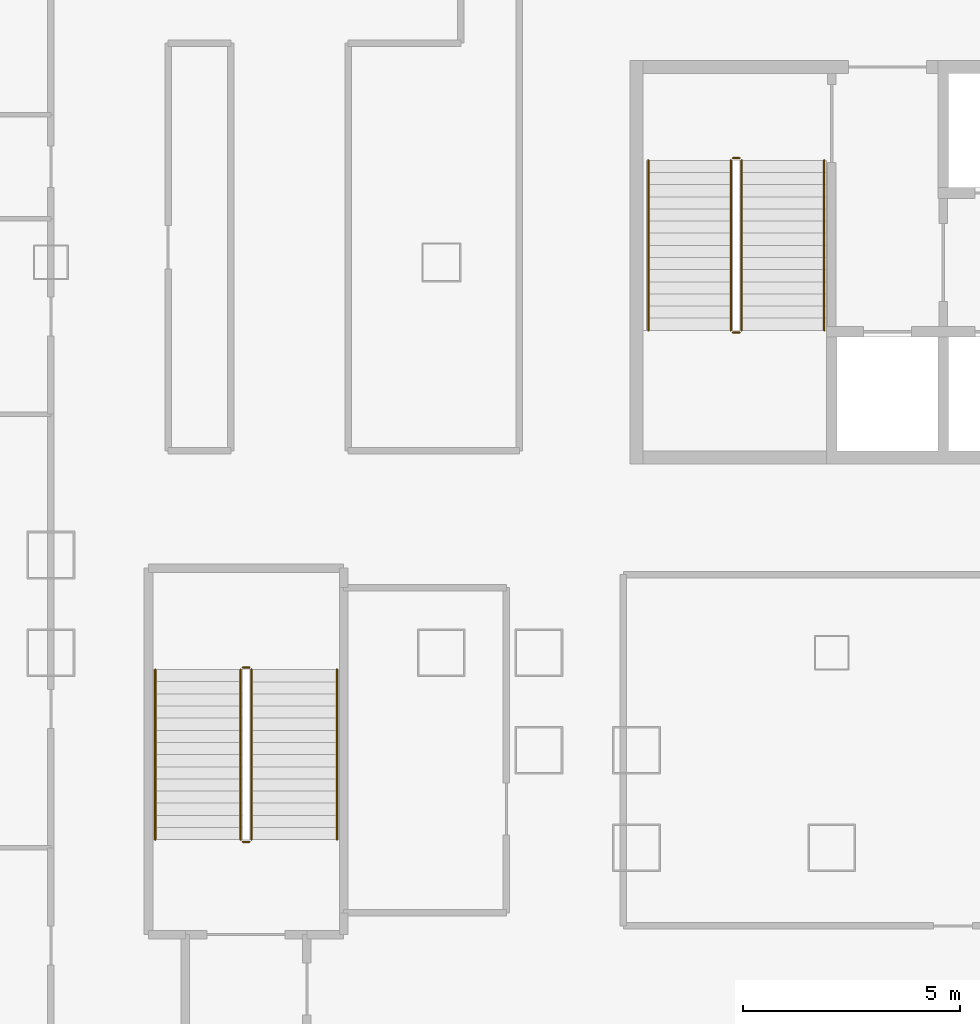
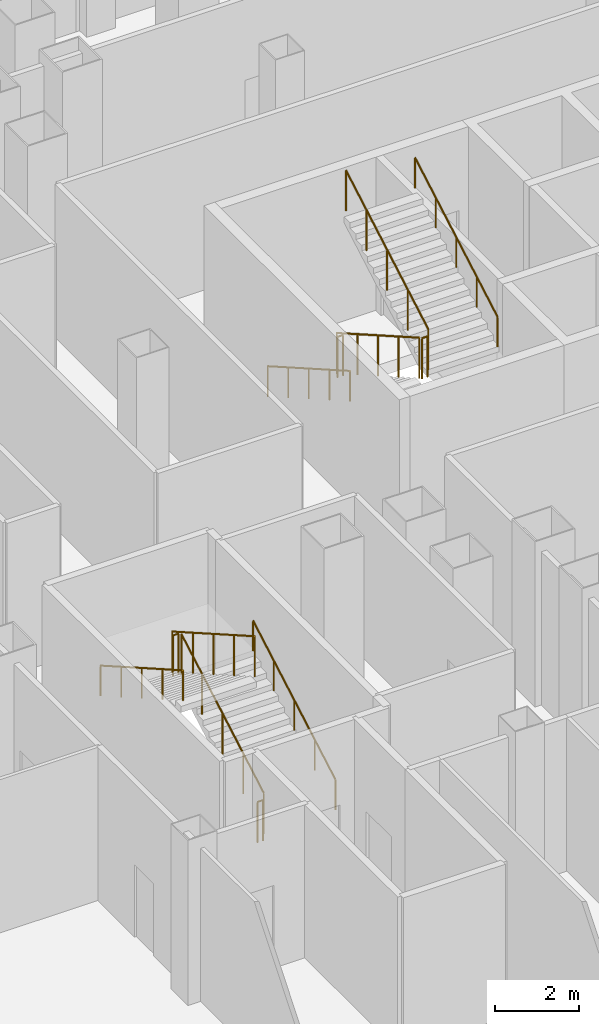
# One storey, part 19 of 23: 12 railings.
"""IFC4 building model written with IfcOpenShell, lengths in metres."""

from ifc_helpers import new_model, si_unit, direction, frame, origin, origin_2d, place, context, subcontext, project, spatial, circle, extrude, material, type_object, element, save


model = new_model("IFC4")

# Units and contexts
model_context = context("Model", 3, precision=1e-05, world=origin(), true_north=direction((0.0, 1.0)))
body_context = subcontext(model_context, "Body", "Model", "MODEL_VIEW")
ifc_project = project(units=[si_unit("LENGTHUNIT", "METRE"), si_unit("AREAUNIT", "SQUARE_METRE"), si_unit("VOLUMEUNIT", "CUBIC_METRE"), si_unit("PLANEANGLEUNIT", "RADIAN"), si_unit("MASSUNIT", "GRAM", prefix="KILO")], contexts=[model_context])

# Site, building, storey
site_placement = place(None, origin())
site = spatial("IfcSite", under=ifc_project, at=site_placement, CompositionType="ELEMENT")
building_placement = place(site_placement, origin())
building = spatial("IfcBuilding", under=site, at=building_placement, Name="Caravel Reach Hotel and Residences", CompositionType="ELEMENT")
storey_placement = place(building_placement, frame((0.0, 0.0, 24.0)))
storey = spatial("IfcBuildingStorey", under=building, at=storey_placement, Name="L04", CompositionType="ELEMENT", Elevation=24.0)

# Railings
ifc_material_1 = material(Name="Steel balustrade with glass infill", Category="steel")
railing_type_1 = type_object("IfcRailingType", Name="Guard 1200", PredefinedType="GUARDRAIL", material=ifc_material_1)
railing_1_placement = place(storey_placement, frame((20.175048828125, 29.35009765625, 0.159912109375)))
element("IfcRailing", 1, at=railing_1_placement, inside=storey, type_object=railing_type_1, Name="L04 ST-A stair guard 1", PredefinedType="GUARDRAIL", context=body_context, shape_type="SweptSolid", body=[
    extrude(circle(Radius=0.02392578125, at=origin_2d()), frame((0.0, 0.0, 1.17578125), z_axis=(0.0, -0.86825312469, 0.496121468458), x_axis=(1.0, 0.0, 0.0)), (0.0, 0.0, 1.0), 4.514892578125),
    extrude(circle(Radius=0.02099609375, at=origin_2d()), origin(), (0.0, 0.0, 1.0), 1.15185546875),
    extrude(circle(Radius=0.02099609375, at=origin_2d()), frame((0.0, -0.97998046875, 0.56005859375)), (0.0, 0.0, 1.0), 1.15185546875),
    extrude(circle(Radius=0.02099609375, at=origin_2d()), frame((0.0, -1.9599609375, 1.1201171875)), (0.0, 0.0, 1.0), 1.15185546875),
    extrude(circle(Radius=0.02099609375, at=origin_2d()), frame((0.0, -2.940185546875, 1.679931640625)), (0.0, 0.0, 1.0), 1.15185546875),
    extrude(circle(Radius=0.02099609375, at=origin_2d()), frame((0.0, -3.920166015625, 2.239990234375)), (0.0, 0.0, 1.0), 1.15185546875),
])
railing_2_placement = place(storey_placement, frame((20.22509765625, 25.3798828125, 2.39990234375)))
element("IfcRailing", 2, at=railing_2_placement, inside=storey, type_object=railing_type_1, Name="L04 ST-A stair guard 2", PredefinedType="GUARDRAIL", context=body_context, shape_type="SweptSolid", body=[
    extrude(circle(Radius=0.02392578125, at=origin_2d()), frame((0.0, 0.0, 1.17578125), z_axis=(1.0, 0.0, 0.0), x_axis=(0.0, 1.0, 0.0)), (0.0, 0.0, 1.0), 0.14990234375),
    extrude(circle(Radius=0.02099609375, at=origin_2d()), origin(), (0.0, 0.0, 1.0), 1.15185546875),
    extrude(circle(Radius=0.02099609375, at=origin_2d()), frame((0.14990234375, 0.0, 0.0)), (0.0, 0.0, 1.0), 1.15185546875),
])
railing_3_placement = place(storey_placement, frame((20.425048828125, 25.429931640625, 2.56005859375)))
element("IfcRailing", 3, at=railing_3_placement, inside=storey, type_object=railing_type_1, Name="L04 ST-A stair guard 3", PredefinedType="GUARDRAIL", context=body_context, shape_type="SweptSolid", body=[
    extrude(circle(Radius=0.02392578125, at=origin_2d()), frame((0.0, 0.0, 1.17578125), z_axis=(0.0, 0.86825312469, 0.496121468458), x_axis=(-1.0, 0.0, 0.0)), (0.0, 0.0, 1.0), 4.514892578125),
    extrude(circle(Radius=0.02099609375, at=origin_2d()), origin(), (0.0, 0.0, 1.0), 1.15185546875),
    extrude(circle(Radius=0.02099609375, at=origin_2d()), frame((0.0, 0.97998046875, 0.56005859375)), (0.0, 0.0, 1.0), 1.15185546875),
    extrude(circle(Radius=0.02099609375, at=origin_2d()), frame((0.0, 1.9599609375, 1.1201171875)), (0.0, 0.0, 1.0), 1.15185546875),
    extrude(circle(Radius=0.02099609375, at=origin_2d()), frame((0.0, 2.940185546875, 1.679931640625)), (0.0, 0.0, 1.0), 1.15185546875),
    extrude(circle(Radius=0.02099609375, at=origin_2d()), frame((0.0, 3.920166015625, 2.239990234375)), (0.0, 0.0, 1.0), 1.15185546875),
])
railing_4_placement = place(storey_placement, frame((20.22509765625, 29.39990234375, 0.0)))
element("IfcRailing", 4, at=railing_4_placement, inside=storey, type_object=railing_type_1, Name="L04 ST-A stair guard 4", PredefinedType="GUARDRAIL", context=body_context, shape_type="SweptSolid", body=[
    extrude(circle(Radius=0.02392578125, at=origin_2d()), frame((0.0, 0.0, 1.17578125), z_axis=(1.0, 0.0, 0.0), x_axis=(0.0, 1.0, 0.0)), (0.0, 0.0, 1.0), 0.14990234375),
    extrude(circle(Radius=0.02099609375, at=origin_2d()), origin(), (0.0, 0.0, 1.0), 1.15185546875),
    extrude(circle(Radius=0.02099609375, at=origin_2d()), frame((0.14990234375, 0.0, 0.0)), (0.0, 0.0, 1.0), 1.15185546875),
])
railing_5_placement = place(storey_placement, frame((9.125, 13.68994140625, 0.159912109375)))
element("IfcRailing", 5, at=railing_5_placement, inside=storey, type_object=railing_type_1, Name="L04 ST-P3 stair guard 1", PredefinedType="GUARDRAIL", context=body_context, shape_type="SweptSolid", body=[
    extrude(circle(Radius=0.02392578125, at=origin_2d()), frame((0.0, 0.0, 1.17578125), z_axis=(0.0, 0.86825312469, 0.496121468458), x_axis=(-1.0, 0.0, 0.0)), (0.0, 0.0, 1.0), 4.514892578125),
    extrude(circle(Radius=0.02099609375, at=origin_2d()), origin(), (0.0, 0.0, 1.0), 1.15185546875),
    extrude(circle(Radius=0.02099609375, at=origin_2d()), frame((0.0, 0.97998046875, 0.56005859375)), (0.0, 0.0, 1.0), 1.15185546875),
    extrude(circle(Radius=0.02099609375, at=origin_2d()), frame((0.0, 1.9599609375, 1.1201171875)), (0.0, 0.0, 1.0), 1.15185546875),
    extrude(circle(Radius=0.02099609375, at=origin_2d()), frame((0.0, 2.940185546875, 1.679931640625)), (0.0, 0.0, 1.0), 1.15185546875),
    extrude(circle(Radius=0.02099609375, at=origin_2d()), frame((0.0, 3.920166015625, 2.239990234375)), (0.0, 0.0, 1.0), 1.15185546875),
])
railing_6_placement = place(storey_placement, frame((9.074951171875, 17.659912109375, 2.39990234375)))
element("IfcRailing", 6, at=railing_6_placement, inside=storey, type_object=railing_type_1, Name="L04 ST-P3 stair guard 2", PredefinedType="GUARDRAIL", context=body_context, shape_type="SweptSolid", body=[
    extrude(circle(Radius=0.02392578125, at=origin_2d()), frame((0.0, 0.0, 1.17578125), z_axis=(-1.0, 0.0, 0.0), x_axis=(0.0, -1.0, 0.0)), (0.0, 0.0, 1.0), 0.14990234375),
    extrude(circle(Radius=0.02099609375, at=origin_2d()), origin(), (0.0, 0.0, 1.0), 1.15185546875),
    extrude(circle(Radius=0.02099609375, at=origin_2d()), frame((-0.14990234375, 0.0, 0.0)), (0.0, 0.0, 1.0), 1.15185546875),
])
railing_7_placement = place(storey_placement, frame((8.875, 17.610107421875, 2.56005859375)))
element("IfcRailing", 7, at=railing_7_placement, inside=storey, type_object=railing_type_1, Name="L04 ST-P3 stair guard 3", PredefinedType="GUARDRAIL", context=body_context, shape_type="SweptSolid", body=[
    extrude(circle(Radius=0.02392578125, at=origin_2d()), frame((0.0, 0.0, 1.17578125), z_axis=(0.0, -0.86825312469, 0.496121468458), x_axis=(1.0, 0.0, 0.0)), (0.0, 0.0, 1.0), 4.514892578125),
    extrude(circle(Radius=0.02099609375, at=origin_2d()), origin(), (0.0, 0.0, 1.0), 1.15185546875),
    extrude(circle(Radius=0.02099609375, at=origin_2d()), frame((0.0, -0.97998046875, 0.56005859375)), (0.0, 0.0, 1.0), 1.15185546875),
    extrude(circle(Radius=0.02099609375, at=origin_2d()), frame((0.0, -1.9599609375, 1.1201171875)), (0.0, 0.0, 1.0), 1.15185546875),
    extrude(circle(Radius=0.02099609375, at=origin_2d()), frame((0.0, -2.940185546875, 1.679931640625)), (0.0, 0.0, 1.0), 1.15185546875),
    extrude(circle(Radius=0.02099609375, at=origin_2d()), frame((0.0, -3.920166015625, 2.239990234375)), (0.0, 0.0, 1.0), 1.15185546875),
])
railing_8_placement = place(storey_placement, frame((9.074951171875, 13.639892578125, 0.0)))
element("IfcRailing", 8, at=railing_8_placement, inside=storey, type_object=railing_type_1, Name="L04 ST-P3 stair guard 4", PredefinedType="GUARDRAIL", context=body_context, shape_type="SweptSolid", body=[
    extrude(circle(Radius=0.02392578125, at=origin_2d()), frame((0.0, 0.0, 1.17578125), z_axis=(-1.0, 0.0, 0.0), x_axis=(0.0, -1.0, 0.0)), (0.0, 0.0, 1.0), 0.14990234375),
    extrude(circle(Radius=0.02099609375, at=origin_2d()), origin(), (0.0, 0.0, 1.0), 1.15185546875),
    extrude(circle(Radius=0.02099609375, at=origin_2d()), frame((-0.14990234375, 0.0, 0.0)), (0.0, 0.0, 1.0), 1.15185546875),
])
ifc_material_2 = material(Name="Stainless steel handrail", Category="steel")
railing_type_2 = type_object("IfcRailingType", Name="Handrail 900", PredefinedType="HANDRAIL", material=ifc_material_2)
railing_9_placement = place(storey_placement, frame((18.27490234375, 29.35009765625, 0.159912109375)))
element("IfcRailing", 9, at=railing_9_placement, inside=storey, type_object=railing_type_2, Name="L04 ST-A stair handrail 1", PredefinedType="HANDRAIL", context=body_context, shape_type="SweptSolid", body=[
    extrude(circle(Radius=0.02392578125, at=origin_2d()), frame((0.0, 0.0, 0.8759765625), z_axis=(0.0, -0.86825312469, 0.496121468458), x_axis=(1.0, 0.0, 0.0)), (0.0, 0.0, 1.0), 4.514892578125),
    extrude(circle(Radius=0.02099609375, at=origin_2d()), origin(), (0.0, 0.0, 1.0), 0.851806640625),
    extrude(circle(Radius=0.02099609375, at=origin_2d()), frame((0.0, -0.97998046875, 0.56005859375)), (0.0, 0.0, 1.0), 0.851806640625),
    extrude(circle(Radius=0.02099609375, at=origin_2d()), frame((0.0, -1.9599609375, 1.1201171875)), (0.0, 0.0, 1.0), 0.851806640625),
    extrude(circle(Radius=0.02099609375, at=origin_2d()), frame((0.0, -2.940185546875, 1.679931640625)), (0.0, 0.0, 1.0), 0.851806640625),
    extrude(circle(Radius=0.02099609375, at=origin_2d()), frame((0.0, -3.920166015625, 2.239990234375)), (0.0, 0.0, 1.0), 0.851806640625),
])
for number, where, name in (
    (10, (22.324951171875, 25.429931640625, 2.56005859375), "L04 ST-A stair handrail 2"),
    (11, (11.094970703125, 13.68994140625, 0.159912109375), "L04 ST-P3 stair handrail 1"),
):
    element("IfcRailing", number, at=place(storey_placement, frame(where)), inside=storey, type_object=railing_type_2, Name=name, PredefinedType="HANDRAIL", context=body_context, shape_type="SweptSolid", body=[
        extrude(circle(Radius=0.02392578125, at=origin_2d()), frame((0.0, 0.0, 0.8759765625), z_axis=(0.0, 0.86825312469, 0.496121468458), x_axis=(-1.0, 0.0, 0.0)), (0.0, 0.0, 1.0), 4.514892578125),
        extrude(circle(Radius=0.02099609375, at=origin_2d()), origin(), (0.0, 0.0, 1.0), 0.851806640625),
        extrude(circle(Radius=0.02099609375, at=origin_2d()), frame((0.0, 0.97998046875, 0.56005859375)), (0.0, 0.0, 1.0), 0.851806640625),
        extrude(circle(Radius=0.02099609375, at=origin_2d()), frame((0.0, 1.9599609375, 1.1201171875)), (0.0, 0.0, 1.0), 0.851806640625),
        extrude(circle(Radius=0.02099609375, at=origin_2d()), frame((0.0, 2.940185546875, 1.679931640625)), (0.0, 0.0, 1.0), 0.851806640625),
        extrude(circle(Radius=0.02099609375, at=origin_2d()), frame((0.0, 3.920166015625, 2.239990234375)), (0.0, 0.0, 1.0), 0.851806640625),
    ])
railing_10_placement = place(storey_placement, frame((6.905029296875, 17.610107421875, 2.56005859375)))
element("IfcRailing", 12, at=railing_10_placement, inside=storey, type_object=railing_type_2, Name="L04 ST-P3 stair handrail 2", PredefinedType="HANDRAIL", context=body_context, shape_type="SweptSolid", body=[
    extrude(circle(Radius=0.02392578125, at=origin_2d()), frame((0.0, 0.0, 0.8759765625), z_axis=(0.0, -0.86825312469, 0.496121468458), x_axis=(1.0, 0.0, 0.0)), (0.0, 0.0, 1.0), 4.514892578125),
    extrude(circle(Radius=0.02099609375, at=origin_2d()), origin(), (0.0, 0.0, 1.0), 0.851806640625),
    extrude(circle(Radius=0.02099609375, at=origin_2d()), frame((0.0, -0.97998046875, 0.56005859375)), (0.0, 0.0, 1.0), 0.851806640625),
    extrude(circle(Radius=0.02099609375, at=origin_2d()), frame((0.0, -1.9599609375, 1.1201171875)), (0.0, 0.0, 1.0), 0.851806640625),
    extrude(circle(Radius=0.02099609375, at=origin_2d()), frame((0.0, -2.940185546875, 1.679931640625)), (0.0, 0.0, 1.0), 0.851806640625),
    extrude(circle(Radius=0.02099609375, at=origin_2d()), frame((0.0, -3.920166015625, 2.239990234375)), (0.0, 0.0, 1.0), 0.851806640625),
])

save(model, "model.ifc")
